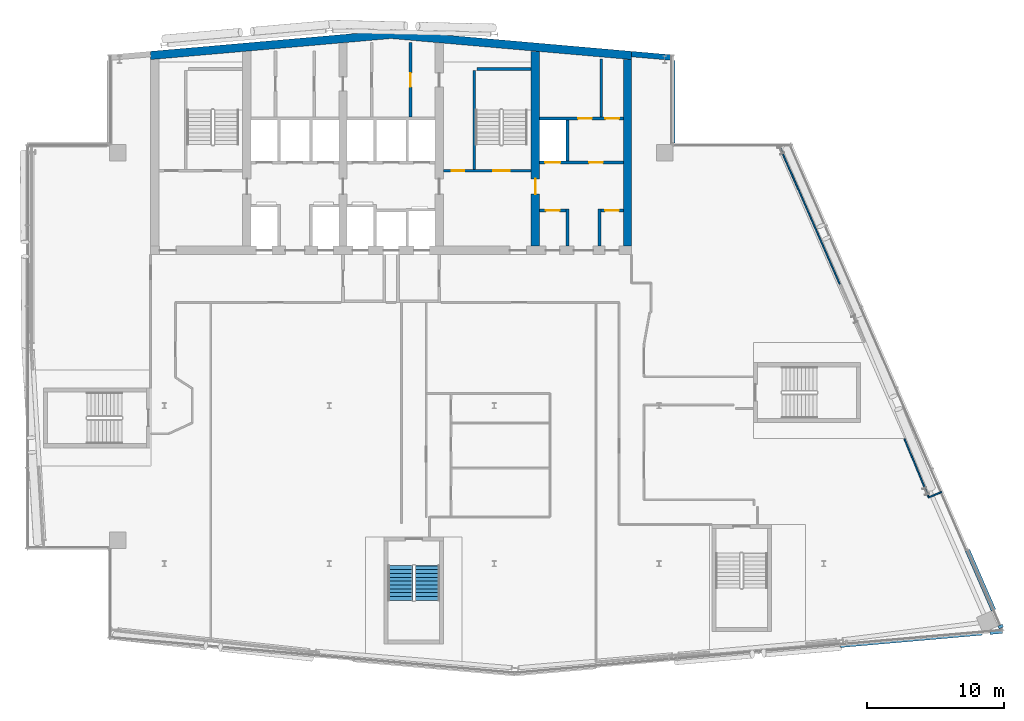
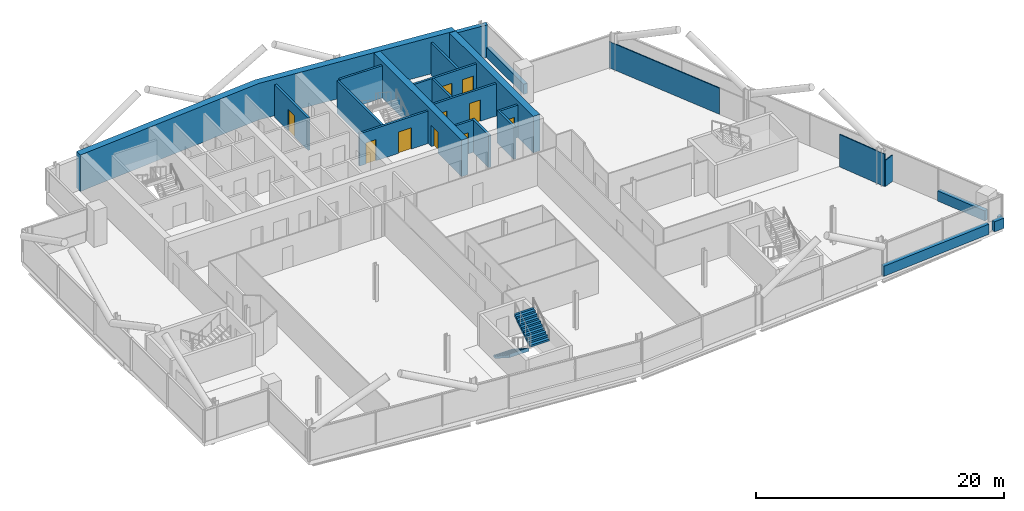
# One storey, part 18 of 25: 24 walls, 10 doors, 2 stair flights, 10 openings, 1 element without a shape of its own.
"""IFC4 building model written with IfcOpenShell, lengths in metres."""

import ifcopenshell
import ifcopenshell.guid

model = None  # the IFC model being written
_history = None  # IfcOwnerHistory: only IFC2X3 demands one
_inside = {}  # id of a spatial element -> (the spatial element, [elements in it])
_under = {}  # id of a project, library or spatial element -> (it, [spatial elements below it])
_declared = {}  # id of a project -> (the project, [libraries it declares])
_typed = {}  # id of a type object -> (the type object, [elements of that type])
_made_of = {}  # id of a material, layer set ... -> (it, [elements and type objects made of it])


def new_model(schema):
    """Start an empty IFC model of exactly this schema.

    Asked for "IFC4X3", IfcOpenShell would pick the latest addendum, in which some entities
    have other attributes; the version numbers below select the first issue.
    IFC2X3 requires an IfcOwnerHistory on every rooted entity: one is made here for all.
    """
    global model, _history
    if schema == "IFC4X3":
        model = ifcopenshell.file(schema_version=(4, 3, 0, 0))
    else:
        model = ifcopenshell.file(schema=schema)
    _inside.clear()
    _under.clear()
    _declared.clear()
    _typed.clear()
    _made_of.clear()
    _history = None
    if model.schema == "IFC2X3":
        org = make("IfcOrganization", Name="unknown")
        user = make(
            "IfcPersonAndOrganization",
            ThePerson=make("IfcPerson", FamilyName="unknown"),
            TheOrganization=org,
        )
        app = make(
            "IfcApplication",
            ApplicationDeveloper=org,
            Version="unknown",
            ApplicationFullName="unknown",
            ApplicationIdentifier="unknown",
        )
        _history = make(
            "IfcOwnerHistory",
            OwningUser=user,
            OwningApplication=app,
            ChangeAction="ADDED",
            CreationDate=0,
        )
    return model


def make(cls, **values):
    """One entity of the class cls with the attributes given. An attribute that is None is left unset."""
    return model.create_entity(
        cls, **{name: value for name, value in values.items() if value is not None}
    )


def rooted(cls, **values):
    """An entity with a GlobalId (a new one), such as an element, a storey or a relation."""
    return make(cls, GlobalId=ifcopenshell.guid.new(), OwnerHistory=_history, **values)


def si_unit(unit_type, name, prefix=None):
    """IfcSIUnit, for example si_unit("LENGTHUNIT", "METRE", prefix="MILLI")."""
    return make("IfcSIUnit", UnitType=unit_type, Prefix=prefix, Name=name)


def assignment(units):
    """IfcUnitAssignment: the units of a project."""
    return None if units is None else make("IfcUnitAssignment", Units=units)


def point(xyz):
    """IfcCartesianPoint."""
    return None if xyz is None else make("IfcCartesianPoint", Coordinates=xyz)


def direction(xyz):
    """IfcDirection."""
    return None if xyz is None else make("IfcDirection", DirectionRatios=xyz)


def frame(location, z_axis=None, x_axis=None):
    """IfcAxis2Placement3D, a coordinate frame: its origin and axes. An axis left out is left unset."""
    return make(
        "IfcAxis2Placement3D",
        Location=point(location),
        Axis=direction(z_axis),
        RefDirection=direction(x_axis),
    )


def frame_2d(location, x_axis=None):
    """IfcAxis2Placement2D, a coordinate frame in the plane: its origin and x axis."""
    return make(
        "IfcAxis2Placement2D", Location=point(location), RefDirection=direction(x_axis)
    )


def origin():
    """The frame at (0, 0, 0) with its axes left unset."""
    return frame((0.0, 0.0, 0.0))


def place(relative_to, where):
    """IfcLocalPlacement: puts the frame where relative to a parent placement (None: the world)."""
    return make(
        "IfcLocalPlacement", PlacementRelTo=relative_to, RelativePlacement=where
    )


def context(
    kind, dimensions, precision=None, world=None, true_north=None, identifier=None
):
    """IfcGeometricRepresentationContext, for example the 3D "Model" context."""
    return make(
        "IfcGeometricRepresentationContext",
        ContextIdentifier=identifier,
        ContextType=kind,
        CoordinateSpaceDimension=dimensions,
        Precision=precision,
        WorldCoordinateSystem=world,
        TrueNorth=true_north,
    )


def subcontext(parent, identifier, kind, view, scale=None):
    """IfcGeometricRepresentationSubContext, for example "Body" below "Model"."""
    return make(
        "IfcGeometricRepresentationSubContext",
        ContextIdentifier=identifier,
        ContextType=kind,
        ParentContext=parent,
        TargetScale=scale,
        TargetView=view,
    )


def project(units=None, contexts=None):
    """IfcProject with its units and contexts."""
    return rooted(
        "IfcProject",
        Name="project",
        RepresentationContexts=contexts,
        UnitsInContext=assignment(units),
    )


def spatial(cls, under=None, at=None, **own):
    """A site, building, storey or space (cls), placed at a placement, below another one or the project."""
    s = rooted(cls, ObjectPlacement=at, **own)
    if under is not None:
        _under.setdefault(under.id(), (under, []))[1].append(s)
    return s


def polyline(points):
    """IfcPolyline through the points."""
    return make("IfcPolyline", Points=[point(p) for p in points])


def profile(cls, at=None, kind="AREA", **sizes):
    """A parametric profile (cls). Its sizes go by their IFC names, for example OverallWidth=200.0."""
    return make(cls, ProfileType=kind, Position=at, **sizes)


def rectangle(**sizes):
    """IfcRectangleProfileDef."""
    return profile("IfcRectangleProfileDef", **sizes)


def outline(outer, holes=None, kind="AREA"):
    """IfcArbitraryClosedProfileDef: a profile drawn as a closed curve; with holes, ...WithVoids."""
    if holes is None:
        return make("IfcArbitraryClosedProfileDef", ProfileType=kind, OuterCurve=outer)
    return make(
        "IfcArbitraryProfileDefWithVoids",
        ProfileType=kind,
        OuterCurve=outer,
        InnerCurves=holes,
    )


def extrude(swept, where, along, depth):
    """IfcExtrudedAreaSolid: the profile swept, set in the frame where, extruded along a direction by depth."""
    return make(
        "IfcExtrudedAreaSolid",
        SweptArea=swept,
        Position=where,
        ExtrudedDirection=direction(along),
        Depth=depth,
    )


def shape(context_of_items, identifier, shape_type, items):
    """IfcShapeRepresentation: the items that make up one representation, for example the "Body"."""
    return make(
        "IfcShapeRepresentation",
        ContextOfItems=context_of_items,
        RepresentationIdentifier=identifier,
        RepresentationType=shape_type,
        Items=items,
    )


def material(Name=None, Category=None):
    """IfcMaterial."""
    return make("IfcMaterial", Name=Name, Category=Category)


def layer(
    of_material, thickness, ventilated=None, Name=None, Category=None, Priority=None
):
    """IfcMaterialLayer: one layer of a wall or slab, of a material (None: an air gap)."""
    return make(
        "IfcMaterialLayer",
        Material=of_material,
        LayerThickness=thickness,
        IsVentilated=ventilated,
        Name=Name,
        Category=Category,
        Priority=Priority,
    )


def layer_set(layers, Name=None):
    """IfcMaterialLayerSet."""
    return make("IfcMaterialLayerSet", MaterialLayers=layers, LayerSetName=Name)


def made_of(thing, what):
    """Note that an element or type object is made of a material, layer set ...; save() writes the relation."""
    if what is not None:
        _made_of.setdefault(what.id(), (what, []))[1].append(thing)
    return thing


def type_object(cls, material=None, **own):
    """A type object (cls), such as IfcWallType, which elements share."""
    return made_of(rooted(cls, **own), material)


def element(
    cls,
    number,
    at=None,
    inside=None,
    cuts=None,
    type_object=None,
    material=None,
    context=None,
    identifier="Body",
    shape_type=None,
    held_by="IfcProductDefinitionShape",
    body=None,
    shapes=None,
    **own,
):
    """One element of the class cls, such as IfcWall. Its Tag is "e" and its number.

    at: its placement. inside: the storey or other place that contains it. cuts: it is an
    opening in that element (IfcRelVoidsElement). A single representation is given by context,
    identifier, shape_type and body (its items); several are given by shapes. held_by: the class
    of the entity that holds the representations. save() writes the other relations.
    """
    e = rooted(cls, Tag="e%d" % number, ObjectPlacement=at, **own)
    if body is not None:
        shapes = [shape(context, identifier, shape_type, body)]
    if shapes is not None:
        e.Representation = make(held_by, Representations=shapes)
    if inside is not None:
        _inside.setdefault(inside.id(), (inside, []))[1].append(e)
    if cuts is not None:
        rooted(
            "IfcRelVoidsElement", RelatingBuildingElement=cuts, RelatedOpeningElement=e
        )
    if type_object is not None:
        _typed.setdefault(type_object.id(), (type_object, []))[1].append(e)
    return made_of(e, material)


def fill(opening, filler):
    """IfcRelFillsElement: the door or window that sits in an opening."""
    return rooted(
        "IfcRelFillsElement",
        RelatingOpeningElement=opening,
        RelatedBuildingElement=filler,
    )


def aggregate(whole, parts):
    """IfcRelAggregates: a whole, such as a stair, and the parts it consists of."""
    return rooted("IfcRelAggregates", RelatingObject=whole, RelatedObjects=parts)


def save(model, path):
    """Write the relations noted so far, then the file.

    IfcRelAggregates (storeys below a building ...), IfcRelContainedInSpatialStructure (elements
    in a storey), IfcRelDefinesByType, IfcRelAssociatesMaterial and IfcRelDeclares: one each for
    every whole, place, type object, material and project.
    """
    for whole, parts in _under.values():
        aggregate(whole, parts)
    for where, things in _inside.values():
        rooted(
            "IfcRelContainedInSpatialStructure",
            RelatedElements=things,
            RelatingStructure=where,
        )
    for kind, things in _typed.values():
        rooted("IfcRelDefinesByType", RelatedObjects=things, RelatingType=kind)
    for what, things in _made_of.values():
        rooted("IfcRelAssociatesMaterial", RelatedObjects=things, RelatingMaterial=what)
    for by, libraries in _declared.values():
        rooted("IfcRelDeclares", RelatingContext=by, RelatedDefinitions=libraries)
    model.write(path)


model = new_model("IFC4")

# Units and contexts
model_context = context("Model", 3, precision=1e-05, world=origin(), true_north=direction((0.0, 1.0)))
body_context = subcontext(model_context, "Body", "Model", "MODEL_VIEW")
ifc_project = project(units=[si_unit("LENGTHUNIT", "METRE"), si_unit("AREAUNIT", "SQUARE_METRE"), si_unit("VOLUMEUNIT", "CUBIC_METRE"), si_unit("PLANEANGLEUNIT", "RADIAN"), si_unit("MASSUNIT", "GRAM", prefix="KILO")], contexts=[model_context])

# Site, building, storey
site_placement = place(None, origin())
site = spatial("IfcSite", under=ifc_project, at=site_placement, CompositionType="ELEMENT")
building_placement = place(site_placement, origin())
building = spatial("IfcBuilding", under=site, at=building_placement, Name="Wharfspan Tower", CompositionType="ELEMENT")
storey_placement = place(building_placement, frame((0.0, 0.0, 239.5)))
storey = spatial("IfcBuildingStorey", under=building, at=storey_placement, Name="L60", CompositionType="ELEMENT", Elevation=239.5)

# Wall, opening, door
ifc_material_1 = material(Name="Calcium silicate masonry", Category="masonry")
ifc_layer_1 = layer(ifc_material_1, 0.199951)
ifc_layer_set_1 = layer_set([ifc_layer_1], Name="Calcium silicate masonry")
wall_type_1 = type_object("IfcWallType", Name="Core room wall 200", PredefinedType="PARTITIONING", material=ifc_layer_set_1)
wall_1_placement = place(storey_placement, frame((41.907959, 44.0, 0.0), z_axis=(0.0, 0.0, 1.0), x_axis=(0.0, 1.0, 0.0)))
wall_1 = element("IfcWall", 1, at=wall_1_placement, inside=storey, type_object=wall_type_1, Name="sw:L60:RP4.2", PredefinedType="PARTITIONING", context=body_context, shape_type="SweptSolid", body=[
    extrude(rectangle(XDim=5.41626, YDim=0.199951, at=frame_2d((2.708008, 0.0))), origin(), (0.0, 0.0, 1.0), 3.199951),
])
opening_1_placement = place(wall_1_placement, frame((2.208008, 0.0, 0.0)))
opening_1 = element("IfcOpeningElement", 2, at=opening_1_placement, cuts=wall_1, Name="Opening CD60.4P2", PredefinedType="OPENING", context=body_context, shape_type="SweptSolid", body=[
    extrude(rectangle(XDim=1.0, YDim=2.100098, at=frame_2d((0.5, 1.050049))), frame((0.0, 0.109863, 0.0), z_axis=(0.0, -1.0, 0.0), x_axis=(1.0, 0.0, 0.0)), (0.0, 0.0, 1.0), 0.219971),
])
ifc_material_2 = material(Name="Steel door leaf", Category="steel")
door_type_1 = type_object("IfcDoorType", Name="Core room door 1000x2100", OperationType="SINGLE_SWING_LEFT", PredefinedType="DOOR", material=ifc_material_2)
door_1_placement = place(opening_1_placement, origin())
door_1 = element("IfcDoor", 3, at=door_1_placement, inside=storey, type_object=door_type_1, Name="d:L60:4:rp2", OperationType="SINGLE_SWING_LEFT", OverallHeight=2.100098, OverallWidth=1.0, PredefinedType="DOOR", context=body_context, shape_type="SweptSolid", body=[
    extrude(rectangle(XDim=1.0, YDim=2.100098, at=frame_2d((0.5, 1.050049))), frame((0.0, 0.024902, 0.0), z_axis=(0.0, -1.0, 0.0), x_axis=(1.0, 0.0, 0.0)), (0.0, 0.0, 1.0), 0.050049),
])
fill(opening_1, door_1)

wall_2_placement = place(storey_placement, frame((51.300049, 37.199951, 0.0), z_axis=(0.0, 0.0, 1.0), x_axis=(1.0, 0.0, 0.0)))
wall_2 = element("IfcWall", 4, at=wall_2_placement, inside=storey, type_object=wall_type_1, Name="sw:L60:FR6.1", PredefinedType="PARTITIONING", context=body_context, shape_type="SweptSolid", body=[
    extrude(rectangle(XDim=1.93335, YDim=0.199951, at=frame_2d((0.966797, 0.0))), origin(), (0.0, 0.0, 1.0), 3.199951),
])
opening_2_placement = place(wall_2_placement, frame((0.466797, 0.0, 0.0)))
opening_2 = element("IfcOpeningElement", 5, at=opening_2_placement, cuts=wall_2, Name="Opening CD60.6H1", PredefinedType="OPENING", context=body_context, shape_type="SweptSolid", body=[
    extrude(rectangle(XDim=1.0, YDim=2.100098, at=frame_2d((0.5, 1.050049))), frame((0.0, 0.109863, 0.0), z_axis=(0.0, -1.0, 0.0), x_axis=(1.0, 0.0, 0.0)), (0.0, 0.0, 1.0), 0.219971),
])
door_2_placement = place(opening_2_placement, origin())
door_2 = element("IfcDoor", 6, at=door_2_placement, inside=storey, type_object=door_type_1, Name="d:L60:6:fh6.1", OperationType="SINGLE_SWING_RIGHT", OverallHeight=2.100098, OverallWidth=1.0, PredefinedType="DOOR", context=body_context, shape_type="SweptSolid", body=[
    extrude(rectangle(XDim=1.0, YDim=2.100098, at=frame_2d((0.5, 1.050049))), frame((0.0, 0.024902, 0.0), z_axis=(0.0, -1.0, 0.0), x_axis=(1.0, 0.0, 0.0)), (0.0, 0.0, 1.0), 0.050049),
])
fill(opening_2, door_2)

wall_3_placement = place(storey_placement, frame((55.766602, 37.199951, 0.0), z_axis=(0.0, 0.0, 1.0), x_axis=(1.0, 0.0, 0.0)))
wall_3 = element("IfcWall", 7, at=wall_3_placement, inside=storey, type_object=wall_type_1, Name="sw:L60:FR6.3", PredefinedType="PARTITIONING", context=body_context, shape_type="SweptSolid", body=[
    extrude(rectangle(XDim=1.633301, YDim=0.199951, at=frame_2d((0.81665, 0.0))), origin(), (0.0, 0.0, 1.0), 3.199951),
])
opening_3_placement = place(wall_3_placement, frame((0.31665, 0.0, 0.0)))
opening_3 = element("IfcOpeningElement", 8, at=opening_3_placement, cuts=wall_3, Name="Opening CD60.6H3", PredefinedType="OPENING", context=body_context, shape_type="SweptSolid", body=[
    extrude(rectangle(XDim=1.0, YDim=2.100098, at=frame_2d((0.5, 1.050049))), frame((0.0, 0.109863, 0.0), z_axis=(0.0, -1.0, 0.0), x_axis=(1.0, 0.0, 0.0)), (0.0, 0.0, 1.0), 0.219971),
])
door_3_placement = place(opening_3_placement, origin())
door_3 = element("IfcDoor", 9, at=door_3_placement, inside=storey, type_object=door_type_1, Name="d:L60:6:fh6.3", OperationType="SINGLE_SWING_RIGHT", OverallHeight=2.100098, OverallWidth=1.0, PredefinedType="DOOR", context=body_context, shape_type="SweptSolid", body=[
    extrude(rectangle(XDim=1.0, YDim=2.100098, at=frame_2d((0.5, 1.050049))), frame((0.0, 0.024902, 0.0), z_axis=(0.0, -1.0, 0.0), x_axis=(1.0, 0.0, 0.0)), (0.0, 0.0, 1.0), 0.050049),
])
fill(opening_3, door_3)

# Walls
wall_4_placement = place(storey_placement, frame((55.800049, 44.0, 0.0), z_axis=(0.0, 0.0, 1.0), x_axis=(0.0, 1.0, 0.0)))
element("IfcWall", 10, at=wall_4_placement, inside=storey, type_object=wall_type_1, Name="sw:L60:RP6.1", PredefinedType="PARTITIONING", context=body_context, shape_type="SweptSolid", body=[
    extrude(rectangle(XDim=4.217529, YDim=0.199951, at=frame_2d((2.108887, 0.0))), origin(), (0.0, 0.0, 1.0), 3.199951),
])
ifc_material_3 = material(Name="Concrete C50/60", Category="concrete")
ifc_layer_2 = layer(ifc_material_3, 0.600098)
ifc_layer_set_2 = layer_set([ifc_layer_2], Name="Concrete C50/60")
wall_type_2 = type_object("IfcWallType", Name="Core wall 600 C50/60", PredefinedType="SHEAR", material=ifc_layer_set_2)
wall_5_placement = place(storey_placement, origin())
element("IfcWall", 11, at=wall_5_placement, inside=storey, type_object=wall_type_2, Name="Core rear wall L60", PredefinedType="SHEAR", context=body_context, shape_type="SweptSolid", body=[
    extrude(outline(polyline([(23.0, 48.185059), (40.5, 49.716064), (58.0, 48.185059), (58.0, 48.787354), (40.5, 50.318359), (23.0, 48.787354), (23.0, 48.185059)])), origin(), (0.0, 0.0, 1.0), 3.600098),
])

# Wall, opening, door
wall_6_placement = place(storey_placement, frame((51.0, 34.600098, 0.0), z_axis=(0.0, 0.0, 1.0), x_axis=(0.0, 1.0, 0.0)))
wall_6 = element("IfcWall", 12, at=wall_6_placement, inside=storey, type_object=wall_type_2, Name="Core cross wall X6 L60", PredefinedType="SHEAR", context=body_context, shape_type="SweptSolid", body=[
    extrude(rectangle(XDim=14.171143, YDim=0.600098, at=frame_2d((7.085449, 0.0))), origin(), (0.0, 0.0, 1.0), 3.600098),
])
opening_4_placement = place(wall_6_placement, frame((3.800049, 0.0, 0.0)))
opening_4 = element("IfcOpeningElement", 13, at=opening_4_placement, cuts=wall_6, Name="Opening CC60.6", PredefinedType="OPENING", context=body_context, shape_type="SweptSolid", body=[
    extrude(rectangle(XDim=1.100098, YDim=2.100098, at=frame_2d((0.550049, 1.050049))), frame((0.0, 0.310059, 0.0), z_axis=(0.0, -1.0, 0.0), x_axis=(1.0, 0.0, 0.0)), (0.0, 0.0, 1.0), 0.620117),
])
door_type_2 = type_object("IfcDoorType", Name="Core corridor door 1100x2100", OperationType="SINGLE_SWING_LEFT", PredefinedType="DOOR", material=ifc_material_2)
door_4_placement = place(opening_4_placement, origin())
door_4 = element("IfcDoor", 14, at=door_4_placement, inside=storey, type_object=door_type_2, Name="xd:L60:6", OperationType="SINGLE_SWING_RIGHT", OverallHeight=2.100098, OverallWidth=1.100098, PredefinedType="DOOR", context=body_context, shape_type="SweptSolid", body=[
    extrude(rectangle(XDim=1.100098, YDim=2.100098, at=frame_2d((0.550049, 1.050049))), frame((0.0, 0.024902, 0.0), z_axis=(0.0, -1.0, 0.0), x_axis=(1.0, 0.0, 0.0)), (0.0, 0.0, 1.0), 0.050049),
])
fill(opening_4, door_4)

# Wall
wall_7_placement = place(storey_placement, frame((57.699951, 34.600098, 0.0), z_axis=(0.0, 0.0, 1.0), x_axis=(0.0, 1.0, 0.0)))
element("IfcWall", 15, at=wall_7_placement, inside=storey, type_object=wall_type_2, Name="Core cross wall EW1 L60", PredefinedType="SHEAR", context=body_context, shape_type="SweptSolid", body=[
    extrude(rectangle(XDim=13.584961, YDim=0.600098, at=frame_2d((6.79248, 0.0))), origin(), (0.0, 0.0, 1.0), 3.600098),
])

# Wall, openings, doors
ifc_material_4 = material(Name="Concrete C30/37", Category="concrete")
ifc_layer_3 = layer(ifc_material_4, 0.199951)
ifc_layer_set_3 = layer_set([ifc_layer_3], Name="Concrete C30/37")
wall_type_3 = type_object("IfcWallType", Name="Lift shaft wall 200", PredefinedType="PARTITIONING", material=ifc_layer_set_3)
wall_8_placement = place(storey_placement, frame((51.300049, 40.699951, 0.0), z_axis=(0.0, 0.0, 1.0), x_axis=(1.0, 0.0, 0.0)))
wall_8 = element("IfcWall", 16, at=wall_8_placement, inside=storey, type_object=wall_type_3, Name="sw:L60:RF6", PredefinedType="PARTITIONING", context=body_context, shape_type="SweptSolid", body=[
    extrude(rectangle(XDim=6.099854, YDim=0.199951, at=frame_2d((3.049805, 0.0))), origin(), (0.0, 0.0, 1.0), 3.199951),
])
opening_5_placement = place(wall_8_placement, frame((0.416748, 0.0, 0.0)))
opening_5 = element("IfcOpeningElement", 17, at=opening_5_placement, cuts=wall_8, Name="Opening LD.LB8.L60", PredefinedType="OPENING", context=body_context, shape_type="SweptSolid", body=[
    extrude(rectangle(XDim=1.100098, YDim=2.100098, at=frame_2d((0.550049, 1.050049))), frame((0.0, 0.109863, 0.0), z_axis=(0.0, -1.0, 0.0), x_axis=(1.0, 0.0, 0.0)), (0.0, 0.0, 1.0), 0.219971),
])
opening_6_placement = place(wall_8_placement, frame((3.616699, 0.0, 0.0)))
opening_6 = element("IfcOpeningElement", 18, at=opening_6_placement, cuts=wall_8, Name="Opening CD60.6R2", PredefinedType="OPENING", context=body_context, shape_type="SweptSolid", body=[
    extrude(rectangle(XDim=1.0, YDim=2.100098, at=frame_2d((0.5, 1.050049))), frame((0.0, 0.109863, 0.0), z_axis=(0.0, -1.0, 0.0), x_axis=(1.0, 0.0, 0.0)), (0.0, 0.0, 1.0), 0.219971),
])
door_5_placement = place(opening_6_placement, origin())
door_5 = element("IfcDoor", 19, at=door_5_placement, inside=storey, type_object=door_type_1, Name="d:L60:6:rd6.2", OperationType="SINGLE_SWING_RIGHT", OverallHeight=2.100098, OverallWidth=1.0, PredefinedType="DOOR", context=body_context, shape_type="SweptSolid", body=[
    extrude(rectangle(XDim=1.0, YDim=2.100098, at=frame_2d((0.5, 1.050049))), frame((0.0, 0.024902, 0.0), z_axis=(0.0, -1.0, 0.0), x_axis=(1.0, 0.0, 0.0)), (0.0, 0.0, 1.0), 0.050049),
])
fill(opening_6, door_5)
ifc_material_5 = material(Name="Stainless steel", Category="steel")
door_type_3 = type_object("IfcDoorType", Name="Lift landing door 1100x2100", OperationType="DOUBLE_DOOR_SLIDING", PredefinedType="DOOR", material=ifc_material_5)
door_6_placement = place(opening_5_placement, origin())
door_6 = element("IfcDoor", 20, at=door_6_placement, inside=storey, type_object=door_type_3, Name="Landing door LB8 L60", OperationType="DOUBLE_DOOR_SLIDING", OverallHeight=2.100098, OverallWidth=1.100098, PredefinedType="DOOR", context=body_context, shape_type="SweptSolid", body=[
    extrude(rectangle(XDim=1.100098, YDim=2.100098, at=frame_2d((0.550049, 1.050049))), frame((0.0, 0.024902, 0.0), z_axis=(0.0, -1.0, 0.0), x_axis=(1.0, 0.0, 0.0)), (0.0, 0.0, 1.0), 0.050049),
])
fill(opening_5, door_6)

wall_9_placement = place(storey_placement, frame((51.300049, 43.899902, 0.0), z_axis=(0.0, 0.0, 1.0), x_axis=(1.0, 0.0, 0.0)))
wall_9 = element("IfcWall", 21, at=wall_9_placement, inside=storey, type_object=wall_type_3, Name="sw:L60:RR6", PredefinedType="PARTITIONING", context=body_context, shape_type="SweptSolid", body=[
    extrude(rectangle(XDim=6.099854, YDim=0.199951, at=frame_2d((3.049805, 0.0))), origin(), (0.0, 0.0, 1.0), 3.199951),
])
opening_7_placement = place(wall_9_placement, frame((2.81665, 0.0, 0.0)))
opening_7 = element("IfcOpeningElement", 22, at=opening_7_placement, cuts=wall_9, Name="Opening CD60.6S2", PredefinedType="OPENING", context=body_context, shape_type="SweptSolid", body=[
    extrude(rectangle(XDim=1.0, YDim=2.100098, at=frame_2d((0.5, 1.050049))), frame((0.0, 0.109863, 0.0), z_axis=(0.0, -1.0, 0.0), x_axis=(1.0, 0.0, 0.0)), (0.0, 0.0, 1.0), 0.219971),
])
opening_8_placement = place(wall_9_placement, frame((4.800049, 0.0, 0.0)))
opening_8 = element("IfcOpeningElement", 23, at=opening_8_placement, cuts=wall_9, Name="Opening CD60.6S2a", PredefinedType="OPENING", context=body_context, shape_type="SweptSolid", body=[
    extrude(rectangle(XDim=1.0, YDim=2.100098, at=frame_2d((0.5, 1.050049))), frame((0.0, 0.109863, 0.0), z_axis=(0.0, -1.0, 0.0), x_axis=(1.0, 0.0, 0.0)), (0.0, 0.0, 1.0), 0.219971),
])
door_7_placement = place(opening_7_placement, origin())
door_7 = element("IfcDoor", 24, at=door_7_placement, inside=storey, type_object=door_type_1, Name="d:L60:6:rs6.2", OperationType="SINGLE_SWING_LEFT", OverallHeight=2.100098, OverallWidth=1.0, PredefinedType="DOOR", context=body_context, shape_type="SweptSolid", body=[
    extrude(rectangle(XDim=1.0, YDim=2.100098, at=frame_2d((0.5, 1.050049))), frame((0.0, 0.024902, 0.0), z_axis=(0.0, -1.0, 0.0), x_axis=(1.0, 0.0, 0.0)), (0.0, 0.0, 1.0), 0.050049),
])
fill(opening_7, door_7)
door_8_placement = place(opening_8_placement, origin())
door_8 = element("IfcDoor", 25, at=door_8_placement, inside=storey, type_object=door_type_1, Name="d:L60:6:rs6.2a", OperationType="SINGLE_SWING_LEFT", OverallHeight=2.100098, OverallWidth=1.0, PredefinedType="DOOR", context=body_context, shape_type="SweptSolid", body=[
    extrude(rectangle(XDim=1.0, YDim=2.100098, at=frame_2d((0.5, 1.050049))), frame((0.0, 0.024902, 0.0), z_axis=(0.0, -1.0, 0.0), x_axis=(1.0, 0.0, 0.0)), (0.0, 0.0, 1.0), 0.050049),
])
fill(opening_8, door_8)

# Walls
wall_10_placement = place(storey_placement, frame((0.0, 0.0, -0.000244)))
element("IfcWall", 26, at=wall_10_placement, inside=storey, type_object=wall_type_3, Name="sw:L60:FM6.0", PredefinedType="PARTITIONING", context=body_context, shape_type="SweptSolid", body=[
    extrude(outline(polyline([(53.233398, 34.600098), (53.233398, 37.300049), (53.43335, 37.300049), (53.43335, 34.600098), (53.233398, 34.600098)])), origin(), (0.0, 0.0, 1.0), 3.200195),
])
wall_11_placement = place(storey_placement, frame((0.0, 0.0, -0.000244)))
element("IfcWall", 27, at=wall_11_placement, inside=storey, type_object=wall_type_3, Name="sw:L60:FM6.1", PredefinedType="PARTITIONING", context=body_context, shape_type="SweptSolid", body=[
    extrude(outline(polyline([(55.56665, 34.600098), (55.56665, 37.300049), (55.766602, 37.300049), (55.766602, 34.600098), (55.56665, 34.600098)])), origin(), (0.0, 0.0, 1.0), 3.200195),
])
wall_12_placement = place(storey_placement, frame((0.0, 0.0, -0.000244)))
element("IfcWall", 28, at=wall_12_placement, inside=storey, type_object=wall_type_3, Name="sw:L60:RM6.0", PredefinedType="PARTITIONING", context=body_context, shape_type="SweptSolid", body=[
    extrude(outline(polyline([(53.43335, 40.800049), (53.43335, 43.800049), (53.233398, 43.800049), (53.233398, 40.800049), (53.43335, 40.800049)])), origin(), (0.0, 0.0, 1.0), 3.200195),
])
ifc_material_6 = material(Name="Gypsum board on steel studs", Category="steel")
ifc_layer_4 = layer(ifc_material_6, 0.100098)
ifc_layer_set_4 = layer_set([ifc_layer_4], Name="Gypsum board on steel studs")
wall_type_4 = type_object("IfcWallType", Name="Partition 100", PredefinedType="PARTITIONING", material=ifc_layer_set_4)
wall_13_placement = place(storey_placement, frame((73.165039, 31.820068, 0.0), z_axis=(0.0, 0.0, 1.0), x_axis=(-0.400551, 0.916278, 0.0)))
element("IfcWall", 29, at=wall_13_placement, inside=storey, type_object=wall_type_4, Name="Partition L60.w044", PredefinedType="PARTITIONING", context=body_context, shape_type="SweptSolid", body=[
    extrude(rectangle(XDim=11.088379, YDim=0.100098, at=frame_2d((5.544189, 0.0))), origin(), (0.0, 0.0, 1.0), 2.580078),
])
wall_14_placement = place(storey_placement, frame((79.629883, 16.314941, 0.0), z_axis=(0.0, 0.0, 1.0), x_axis=(0.918616, 0.395147, 0.0)))
element("IfcWall", 30, at=wall_14_placement, inside=storey, type_object=wall_type_4, Name="Partition L60.w048", PredefinedType="PARTITIONING", context=body_context, shape_type="SweptSolid", body=[
    extrude(rectangle(XDim=1.03125, YDim=0.100098, at=frame_2d((0.515625, 0.0))), origin(), (0.0, 0.0, 1.0), 2.580078),
])
wall_15_placement = place(storey_placement, frame((79.629883, 16.314941, 0.0), z_axis=(0.0, 0.0, 1.0), x_axis=(-0.381721, 0.924278, 0.0)))
element("IfcWall", 31, at=wall_15_placement, inside=storey, type_object=wall_type_4, Name="Partition L60.w049", PredefinedType="PARTITIONING", context=body_context, shape_type="SweptSolid", body=[
    extrude(rectangle(XDim=4.614502, YDim=0.100098, at=frame_2d((2.307129, 0.0))), origin(), (0.0, 0.0, 1.0), 3.199951),
])
ifc_material_7 = material(Name="Concrete C40/50", Category="concrete")
ifc_layer_5 = layer(ifc_material_7, 0.350098)
ifc_layer_set_5 = layer_set([ifc_layer_5], Name="Concrete C40/50")
wall_type_5 = type_object("IfcWallType", Name="SPANDREL EXPOSED CONCRETE 350", PredefinedType="SOLIDWALL", material=ifc_layer_set_5)
wall_16_placement = place(storey_placement, frame((73.197021, 5.562256, 0.0), z_axis=(0.0, 0.0, 1.0), x_axis=(0.996198, 0.087163, 0.0)))
element("IfcWall", 32, at=wall_16_placement, inside=storey, type_object=wall_type_5, Name="Spandrel upstand L60 S2 2", PredefinedType="SOLIDWALL", context=body_context, shape_type="SweptSolid", body=[
    extrude(rectangle(XDim=10.35791, YDim=0.350098, at=frame_2d((5.178955, 0.0))), origin(), (0.0, 0.0, 1.0), 1.0),
])
wall_17_placement = place(storey_placement, frame((84.077637, 6.514404, 0.0), z_axis=(0.0, 0.0, 1.0), x_axis=(0.996213, 0.086971, 0.0)))
element("IfcWall", 33, at=wall_17_placement, inside=storey, type_object=wall_type_5, Name="Spandrel upstand L60 S2 3", PredefinedType="SOLIDWALL", context=body_context, shape_type="SweptSolid", body=[
    extrude(rectangle(XDim=0.92627, YDim=0.350098, at=frame_2d((0.463135, 0.0))), origin(), (0.0, 0.0, 1.0), 1.0),
])
wall_18_placement = place(storey_placement, frame((84.9104, 6.818604, 0.0), z_axis=(0.0, 0.0, 1.0), x_axis=(-0.398359, 0.91723, 0.0)))
element("IfcWall", 34, at=wall_18_placement, inside=storey, type_object=wall_type_5, Name="Spandrel upstand L60 E", PredefinedType="SOLIDWALL", context=body_context, shape_type="SweptSolid", body=[
    extrude(rectangle(XDim=0.21875, YDim=0.350098, at=frame_2d((0.109375, 0.0))), origin(), (0.0, 0.0, 1.0), 1.0),
])
wall_19_placement = place(storey_placement, frame((84.344727, 8.119873, 0.0), z_axis=(0.0, 0.0, 1.0), x_axis=(-0.398736, 0.917067, 0.0)))
element("IfcWall", 35, at=wall_19_placement, inside=storey, type_object=wall_type_5, Name="Spandrel upstand L60 E 2", PredefinedType="SOLIDWALL", context=body_context, shape_type="SweptSolid", body=[
    extrude(rectangle(XDim=4.748291, YDim=0.350098, at=frame_2d((2.374023, 0.0))), origin(), (0.0, 0.0, 1.0), 1.0),
])
wall_20_placement = place(storey_placement, frame((61.004883, 42.120117, 0.0), z_axis=(0.0, 0.0, 1.0), x_axis=(0.0, 1.0, 0.0)))
element("IfcWall", 36, at=wall_20_placement, inside=storey, type_object=wall_type_5, Name="Spandrel upstand L60 NRE-V", PredefinedType="SOLIDWALL", context=body_context, shape_type="SweptSolid", body=[
    extrude(rectangle(XDim=6.006348, YDim=0.350098, at=frame_2d((3.003174, 0.0))), origin(), (0.0, 0.0, 1.0), 1.0),
])

# Wall, openings, doors
ifc_layer_6 = layer(ifc_material_7, 0.199951)
ifc_layer_set_6 = layer_set([ifc_layer_6], Name="Concrete C40/50")
wall_type_6 = type_object("IfcWallType", Name="Stair shaft wall 200", PredefinedType="SHEAR", material=ifc_layer_set_6)
wall_21_placement = place(storey_placement, frame((44.300049, 40.100098, 0.0), z_axis=(0.0, 0.0, 1.0), x_axis=(1.0, 0.0, 0.0)))
wall_21 = element("IfcWall", 37, at=wall_21_placement, inside=storey, type_object=wall_type_6, Name="ST2 stair enclosure wall L60", PredefinedType="SHEAR", context=body_context, shape_type="SweptSolid", body=[
    extrude(rectangle(XDim=6.399902, YDim=0.199951, at=frame_2d((3.199951, 0.0))), origin(), (0.0, 0.0, 1.0), 3.199951),
])
opening_9_placement = place(wall_21_placement, frame((3.625, 0.0, 0.0)))
opening_9 = element("IfcOpeningElement", 38, at=opening_9_placement, cuts=wall_21, Name="Opening SD5.L60", PredefinedType="OPENING", context=body_context, shape_type="SweptSolid", body=[
    extrude(rectangle(XDim=1.199951, YDim=2.100098, at=frame_2d((0.600098, 1.050049))), frame((0.0, 0.109863, 0.0), z_axis=(0.0, -1.0, 0.0), x_axis=(1.0, 0.0, 0.0)), (0.0, 0.0, 1.0), 0.219971),
])
opening_10_placement = place(wall_21_placement, frame((0.625, 0.0, 0.0)))
opening_10 = element("IfcOpeningElement", 39, at=opening_10_placement, cuts=wall_21, Name="Opening CD60.5R", PredefinedType="OPENING", context=body_context, shape_type="SweptSolid", body=[
    extrude(rectangle(XDim=0.899902, YDim=2.100098, at=frame_2d((0.449951, 1.050049))), frame((0.0, 0.109863, 0.0), z_axis=(0.0, -1.0, 0.0), x_axis=(1.0, 0.0, 0.0)), (0.0, 0.0, 1.0), 0.219971),
])
door_9_placement = place(opening_10_placement, origin())
door_9 = element("IfcDoor", 40, at=door_9_placement, inside=storey, type_object=door_type_1, Name="rk:L60:5", OperationType="SINGLE_SWING_LEFT", OverallHeight=2.100098, OverallWidth=0.899902, PredefinedType="DOOR", context=body_context, shape_type="SweptSolid", body=[
    extrude(rectangle(XDim=0.899902, YDim=2.100098, at=frame_2d((0.449951, 1.050049))), frame((0.0, 0.024902, 0.0), z_axis=(0.0, -1.0, 0.0), x_axis=(1.0, 0.0, 0.0)), (0.0, 0.0, 1.0), 0.050049),
])
fill(opening_10, door_9)
door_type_4 = type_object("IfcDoorType", Name="Stair door 1200x2100", OperationType="SINGLE_SWING_LEFT", PredefinedType="DOOR", material=ifc_material_2)
door_10_placement = place(opening_9_placement, origin())
door_10 = element("IfcDoor", 41, at=door_10_placement, inside=storey, type_object=door_type_4, Name="sd:L60:5", OperationType="SINGLE_SWING_RIGHT", OverallHeight=2.100098, OverallWidth=1.199951, PredefinedType="DOOR", context=body_context, shape_type="SweptSolid", body=[
    extrude(rectangle(XDim=1.199951, YDim=2.100098, at=frame_2d((0.600098, 1.050049))), frame((0.0, 0.024902, 0.0), z_axis=(0.0, -1.0, 0.0), x_axis=(1.0, 0.0, 0.0)), (0.0, 0.0, 1.0), 0.050049),
])
fill(opening_9, door_10)

# Walls
wall_22_placement = place(storey_placement, frame((46.550049, 40.199951, 0.0), z_axis=(0.0, 0.0, 1.0), x_axis=(0.0, 1.0, 0.0)))
element("IfcWall", 42, at=wall_22_placement, inside=storey, type_object=wall_type_6, Name="ST2 stair enclosure wall L60", PredefinedType="SHEAR", context=body_context, shape_type="SweptSolid", body=[
    extrude(rectangle(XDim=7.199951, YDim=0.199951, at=frame_2d((3.600098, 0.0))), origin(), (0.0, 0.0, 1.0), 3.199951),
])
wall_23_placement = place(storey_placement, frame((46.75, 47.5, 0.0), z_axis=(0.0, 0.0, 1.0), x_axis=(1.0, 0.0, 0.0)))
element("IfcWall", 43, at=wall_23_placement, inside=storey, type_object=wall_type_6, Name="ST2 stair enclosure wall L60", PredefinedType="SHEAR", context=body_context, shape_type="SweptSolid", body=[
    extrude(rectangle(XDim=3.949951, YDim=0.199951, at=frame_2d((1.975098, 0.0))), origin(), (0.0, 0.0, 1.0), 3.199951),
])
ifc_layer_7 = layer(ifc_material_7, 0.399902)
ifc_layer_set_7 = layer_set([ifc_layer_7], Name="Concrete C40/50")
wall_type_7 = type_object("IfcWallType", Name="WALL EXPOSED CONCRETE 400", PredefinedType="SOLIDWALL", material=ifc_layer_set_7)
wall_24_placement = place(storey_placement, frame((60.982666, 48.325684, 0.0), z_axis=(0.0, 0.0, 1.0), x_axis=(-0.996194, 0.087168, 0.0)))
element("IfcWall", 44, at=wall_24_placement, inside=storey, type_object=wall_type_7, Name="Rear wall N2", PredefinedType="SOLIDWALL", context=body_context, shape_type="SweptSolid", body=[
    extrude(rectangle(XDim=2.994141, YDim=0.399902, at=frame_2d((1.49707, 0.0))), origin(), (0.0, 0.0, 1.0), 3.199951),
])

# Stair, stair flights
stair_type = type_object("IfcStairType", Name="Half-turn stair 20 risers 180 mm", PredefinedType="HALF_TURN_STAIR", material=ifc_material_7)
stair_placement = place(storey_placement, origin())
stair = element("IfcStair", 45, at=stair_placement, inside=storey, type_object=stair_type, Name="L60 stair ST4", PredefinedType="HALF_TURN_STAIR")
stair_flight_type = type_object("IfcStairFlightType", Name="Stair flight 20 risers 180 mm", PredefinedType="STRAIGHT", material=ifc_material_7)
stair_flight_1_placement = place(storey_placement, frame((41.177002, 11.343262, 0.0), z_axis=(0.0, 0.0, 1.0), x_axis=(0.0, -1.0, 0.0)))
stair_flight_1 = element("IfcStairFlight", 46, at=stair_flight_1_placement, type_object=stair_flight_type, Name="ST4 flight 1", NumberOfRisers=10, NumberOfTreads=9, PredefinedType="STRAIGHT", RiserHeight=0.18, TreadLength=0.28, context=body_context, shape_type="SweptSolid", body=[
    extrude(outline(polyline([(-0.011963, 0.0), (-0.011963, 0.179932), (0.0, 0.179932), (0.280029, 0.179932), (0.280029, 0.360107), (0.560059, 0.360107), (0.560059, 0.540039), (0.840088, 0.540039), (0.840088, 0.719971), (1.120117, 0.719971), (1.120117, 0.899902), (1.399902, 0.899902), (1.399902, 1.080078), (1.679932, 1.080078), (1.679932, 1.26001), (1.959961, 1.26001), (1.959961, 1.439941), (2.23999, 1.439941), (2.23999, 1.620117), (2.52002, 1.620117), (2.531982, 1.800049), (2.531982, 1.441895), (0.2771, 0.0), (-0.011963, 0.0)])), frame((0.0, 0.899902, 0.0), z_axis=(0.0, -1.0, 0.0), x_axis=(1.0, 0.0, 0.0)), (0.0, 0.0, 1.0), 0.899414),
    extrude(outline(polyline([(-0.011963, 0.0), (-0.011963, 0.179932), (0.0, 0.179932), (0.280029, 0.179932), (0.280029, 0.360107), (0.560059, 0.360107), (0.560059, 0.540039), (0.840088, 0.540039), (0.840088, 0.719971), (1.120117, 0.719971), (1.120117, 0.899902), (1.399902, 0.899902), (1.399902, 1.080078), (1.679932, 1.080078), (1.679932, 1.26001), (1.959961, 1.26001), (1.959961, 1.439941), (2.23999, 1.439941), (2.23999, 1.620117), (2.52002, 1.620117), (2.531982, 1.800049), (2.531982, 1.441895), (0.2771, 0.0), (-0.011963, 0.0)])), frame((0.0, -0.000488, 0.0), z_axis=(0.0, -1.0, 0.0), x_axis=(1.0, 0.0, 0.0)), (0.0, 0.0, 1.0), 0.899414),
])
stair_flight_2_placement = place(storey_placement, frame((43.127197, 8.823242, 1.800049), z_axis=(0.0, 0.0, 1.0), x_axis=(0.0, 1.0, 0.0)))
stair_flight_2 = element("IfcStairFlight", 47, at=stair_flight_2_placement, type_object=stair_flight_type, Name="ST4 flight 2", NumberOfRisers=10, NumberOfTreads=9, PredefinedType="STRAIGHT", RiserHeight=0.18, TreadLength=0.28, context=body_context, shape_type="SweptSolid", body=[
    extrude(outline(polyline([(-0.011963, 0.0), (-0.011963, 0.179932), (0.0, 0.179932), (0.280029, 0.179932), (0.280029, 0.360107), (0.560059, 0.360107), (0.560059, 0.540039), (0.840088, 0.540039), (0.840088, 0.719971), (1.120117, 0.719971), (1.120117, 0.899902), (1.399902, 0.899902), (1.399902, 1.080078), (1.679932, 1.080078), (1.679932, 1.26001), (1.959961, 1.26001), (1.959961, 1.439941), (2.23999, 1.439941), (2.23999, 1.620117), (2.52002, 1.620117), (2.531982, 1.800049), (2.531982, 1.441895), (0.2771, 0.0), (-0.011963, 0.0)])), frame((0.0, 0.899902, 0.0), z_axis=(0.0, -1.0, 0.0), x_axis=(1.0, 0.0, 0.0)), (0.0, 0.0, 1.0), 0.899414),
    extrude(outline(polyline([(-0.011963, 0.0), (-0.011963, 0.179932), (0.0, 0.179932), (0.280029, 0.179932), (0.280029, 0.360107), (0.560059, 0.360107), (0.560059, 0.540039), (0.840088, 0.540039), (0.840088, 0.719971), (1.120117, 0.719971), (1.120117, 0.899902), (1.399902, 0.899902), (1.399902, 1.080078), (1.679932, 1.080078), (1.679932, 1.26001), (1.959961, 1.26001), (1.959961, 1.439941), (2.23999, 1.439941), (2.23999, 1.620117), (2.52002, 1.620117), (2.531982, 1.800049), (2.531982, 1.441895), (0.2771, 0.0), (-0.011963, 0.0)])), frame((0.0, -0.000488, 0.0), z_axis=(0.0, -1.0, 0.0), x_axis=(1.0, 0.0, 0.0)), (0.0, 0.0, 1.0), 0.899414),
])
aggregate(stair, [stair_flight_1, stair_flight_2])

save(model, "model.ifc")
